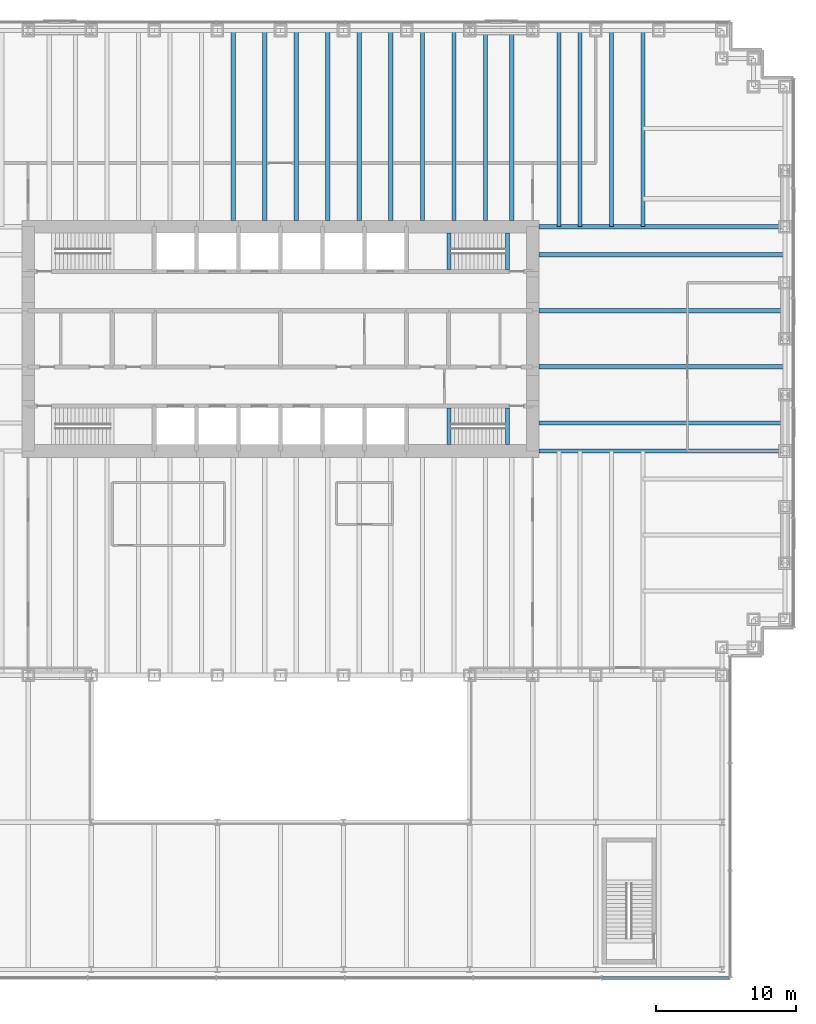
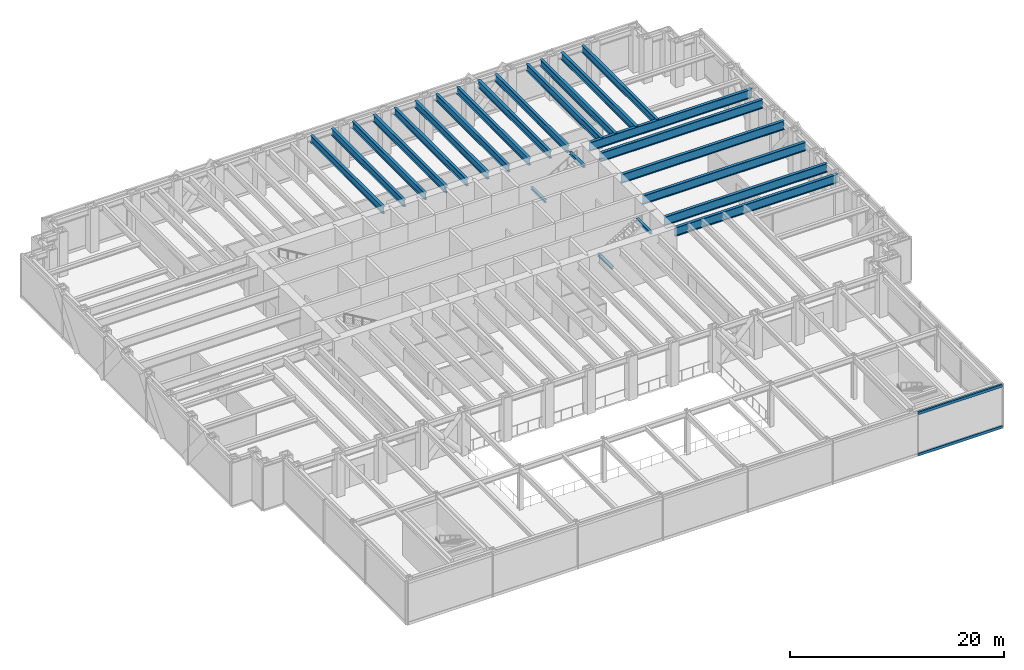
# One storey, part 6 of 17: 24 beams, 2 members, 1 element without a shape of its own.
"""IFC4 building model written with IfcOpenShell, lengths in metres."""

from ifc_helpers import new_model, si_unit, direction, frame, origin, origin_2d, place, context, subcontext, project, spatial, rectangle, i_section, extrude, material, material_profile, profile_set, type_object, element, aggregate, save


model = new_model("IFC4")

# Units and contexts
model_context = context("Model", 3, precision=1e-05, world=origin(), true_north=direction((0.0, 1.0)))
body_context = subcontext(model_context, "Body", "Model", "MODEL_VIEW")
ifc_project = project(units=[si_unit("LENGTHUNIT", "METRE"), si_unit("AREAUNIT", "SQUARE_METRE"), si_unit("VOLUMEUNIT", "CUBIC_METRE"), si_unit("PLANEANGLEUNIT", "RADIAN"), si_unit("MASSUNIT", "GRAM", prefix="KILO")], contexts=[model_context])

# Site, building, storey
site_placement = place(None, origin())
site = spatial("IfcSite", under=ifc_project, at=site_placement, CompositionType="ELEMENT")
building_placement = place(site_placement, origin())
building = spatial("IfcBuilding", under=site, at=building_placement, Name="Rheinbord Bourse Tower", CompositionType="ELEMENT")
storey_placement = place(building_placement, frame((0.0, 0.0, 13.0)))
storey = spatial("IfcBuildingStorey", under=building, at=storey_placement, Name="L02", CompositionType="ELEMENT", Elevation=13.0)

# Curtain wall, members
ifc_material_1 = material(Name="Dark glass and black aluminium", Category="aluminium")
curtain_wall_type = type_object("IfcCurtainWallType", Name="CW4 DARK GLASS CURTAIN WALL", PredefinedType="USERDEFINED", material=ifc_material_1)
curtain_wall_placement = place(storey_placement, origin())
curtain_wall = element("IfcCurtainWall", 1, at=curtain_wall_placement, inside=storey, type_object=curtain_wall_type, Name="Curtain wall CW4 S L02", ObjectType="UNITISED CURTAIN WALL", PredefinedType="USERDEFINED")
ifc_material_2 = material(Name="Black anodised aluminium", Category="aluminium")
ifc_material_profile_1 = material_profile(ifc_material_2, rectangle(XDim=0.199951171875, YDim=0.300048828125, at=origin_2d()), Name="CW4 TRANSOM 300x200")
ifc_profile_set_1 = profile_set([ifc_material_profile_1], Name="Black anodised aluminium")
member_type = type_object("IfcMemberType", Name="CW4 BLACK TRANSOM", PredefinedType="USERDEFINED", material=ifc_profile_set_1)
member_1_placement = place(storey_placement, frame((58.9736328125, -21.60009765625, 0.14990234375), z_axis=(1.0, 0.0, 0.0), x_axis=(0.0, 1.0, 0.0)))
member_1 = element("IfcMember", 2, at=member_1_placement, type_object=member_type, Name="CW4 transom 7.1", ObjectType="TRANSOM", PredefinedType="USERDEFINED", context=body_context, shape_type="SweptSolid", body=[
    extrude(rectangle(XDim=0.199951171875, YDim=0.300048828125, at=origin_2d()), origin(), (0.0, 0.0, 1.0), 9.036376953125),
])
member_2_placement = place(storey_placement, frame((58.9736328125, -21.60009765625, 4.85009765625), z_axis=(1.0, 0.0, 0.0), x_axis=(0.0, 1.0, 0.0)))
member_2 = element("IfcMember", 3, at=member_2_placement, type_object=member_type, Name="CW4 transom 7.2", ObjectType="TRANSOM", PredefinedType="USERDEFINED", context=body_context, shape_type="SweptSolid", body=[
    extrude(rectangle(XDim=0.199951171875, YDim=0.300048828125, at=origin_2d()), origin(), (0.0, 0.0, 1.0), 9.036376953125),
])
aggregate(curtain_wall, [member_1, member_2])

# Beams
ifc_material_3 = material(Name="Steel S460", Category="steel")
ifc_material_profile_2 = material_profile(ifc_material_3, i_section(OverallWidth=0.302001953125, OverallDepth=1.008056640625, WebThickness=0.02099609375, FlangeThickness=0.0400390625, at=origin_2d()), Name="HEM 1000")
ifc_profile_set_2 = profile_set([ifc_material_profile_2], Name="Steel S460")
beam_type_1 = type_object("IfcBeamType", Name="END BEAM HEM 1000", PredefinedType="BEAM", material=ifc_profile_set_2)
for number, where, z_axis, x_axis, name in (
    (4, (54.449951171875, 18.0, 4.31591796875), (1.0, 0.0, 0.0), (0.0, 1.0, 0.0), "End beam east 18 L03"),
    (5, (54.449951171875, 22.0, 4.31591796875), (1.0, 0.0, 0.0), (0.0, 1.0, 0.0), "End beam east 22 L03"),
    (6, (54.449951171875, 26.0, 4.31591796875), (1.0, 0.0, 0.0), (0.0, 1.0, 0.0), "End beam east 26 L03"),
    (7, (54.449951171875, 30.0, 4.31591796875), (1.0, 0.0, 0.0), (0.0, 1.0, 0.0), "End beam east 30 L03"),
):
    element("IfcBeam", number, at=place(storey_placement, frame(where, z_axis=z_axis, x_axis=x_axis)), inside=storey, type_object=beam_type_1, Name=name, PredefinedType="BEAM", context=body_context, shape_type="SweptSolid", body=[
        extrude(i_section(OverallWidth=0.302001953125, OverallDepth=1.008056640625, WebThickness=0.02099609375, FlangeThickness=0.0400390625, at=origin_2d()), origin(), (0.0, 0.0, 1.0), 17.550048828125),
    ])
ifc_material_4 = material(Name="Steel S460", Category="steel")
ifc_material_profile_3 = material_profile(ifc_material_4, i_section(OverallWidth=0.300048828125, OverallDepth=0.800048828125, WebThickness=0.017578125, FlangeThickness=0.032958984375, at=origin_2d()), Name="HEB 800")
ifc_profile_set_3 = profile_set([ifc_material_profile_3], Name="Steel S460")
beam_type_2 = type_object("IfcBeamType", Name="FLOOR BEAM HEB 800", PredefinedType="BEAM", material=ifc_profile_set_3)
for number, where, z_axis, x_axis, name in (
    (8, (32.625, 46.0, 4.419921875), (0.0, -1.0, 0.0), (1.0, 0.0, 0.0), "Floor beam N-31.5a L03"),
    (9, (34.875, 46.0, 4.419921875), (0.0, -1.0, 0.0), (1.0, 0.0, 0.0), "Floor beam N-31.5b L03"),
    (10, (37.125, 46.0, 4.419921875), (0.0, -1.0, 0.0), (1.0, 0.0, 0.0), "Floor beam N-36a L03"),
    (11, (39.375, 46.0, 4.419921875), (0.0, -1.0, 0.0), (1.0, 0.0, 0.0), "Floor beam N-36b L03"),
    (12, (41.625, 46.0, 4.419921875), (0.0, -1.0, 0.0), (1.0, 0.0, 0.0), "Floor beam N-40.5a L03"),
    (13, (43.875, 46.0, 4.419921875), (0.0, -1.0, 0.0), (1.0, 0.0, 0.0), "Floor beam N-40.5b L03"),
    (14, (46.125, 46.0, 4.419921875), (0.0, -1.0, 0.0), (1.0, 0.0, 0.0), "Floor beam N-45a L03"),
    (15, (48.375, 46.0, 4.419921875), (0.0, -1.0, 0.0), (1.0, 0.0, 0.0), "Floor beam N-45b L03"),
    (16, (50.625, 46.0, 4.419921875), (0.0, -1.0, 0.0), (1.0, 0.0, 0.0), "Floor beam N-49.5a L03"),
    (17, (52.5, 46.0, 4.419921875), (0.0, -1.0, 0.0), (1.0, 0.0, 0.0), "Floor beam N-49.5b L03"),
):
    element("IfcBeam", number, at=place(storey_placement, frame(where, z_axis=z_axis, x_axis=x_axis)), inside=storey, type_object=beam_type_2, Name=name, PredefinedType="BEAM", context=body_context, shape_type="SweptSolid", body=[
        extrude(i_section(OverallWidth=0.300048828125, OverallDepth=0.800048828125, WebThickness=0.017578125, FlangeThickness=0.032958984375, at=origin_2d()), origin(), (0.0, 0.0, 1.0), 13.550048828125),
    ])
for number, where, z_axis, x_axis, name in (
    (18, (55.875, 46.0, 4.419921875), (0.0, -1.0, 0.0), (1.0, 0.0, 0.0), "Floor beam N-54a L03"),
    (19, (57.375, 46.0, 4.419921875), (0.0, -1.0, 0.0), (1.0, 0.0, 0.0), "Floor beam N-54b L03"),
    (20, (59.625, 46.0, 4.419921875), (0.0, -1.0, 0.0), (1.0, 0.0, 0.0), "Floor beam N-58.5a L03"),
    (21, (61.875, 46.0, 4.419921875), (0.0, -1.0, 0.0), (1.0, 0.0, 0.0), "Floor beam N-58.5b L03"),
):
    element("IfcBeam", number, at=place(storey_placement, frame(where, z_axis=z_axis, x_axis=x_axis)), inside=storey, type_object=beam_type_2, Name=name, PredefinedType="BEAM", context=body_context, shape_type="SweptSolid", body=[
        extrude(i_section(OverallWidth=0.300048828125, OverallDepth=0.800048828125, WebThickness=0.017578125, FlangeThickness=0.032958984375, at=origin_2d()), origin(), (0.0, 0.0, 1.0), 14.0),
    ])
ifc_material_5 = material(Name="Steel S460", Category="steel")
ifc_material_profile_4 = material_profile(ifc_material_5, i_section(OverallWidth=0.302001953125, OverallDepth=1.008056640625, WebThickness=0.02099609375, FlangeThickness=0.0400390625, at=origin_2d()), Name="HEM 1000")
ifc_profile_set_4 = profile_set([ifc_material_profile_4], Name="Steel S460")
beam_type_3 = type_object("IfcBeamType", Name="GIRDER HEM 1000", PredefinedType="BEAM", material=ifc_profile_set_4)
for number, where, z_axis, x_axis, name in (
    (22, (54.449951171875, 16.0, 4.31591796875), (1.0, 0.0, 0.0), (0.0, 1.0, 0.0), "Girder east 16 L03"),
    (23, (54.449951171875, 32.0, 4.31591796875), (1.0, 0.0, 0.0), (0.0, 1.0, 0.0), "Girder east 32 L03"),
):
    element("IfcBeam", number, at=place(storey_placement, frame(where, z_axis=z_axis, x_axis=x_axis)), inside=storey, type_object=beam_type_3, Name=name, PredefinedType="BEAM", context=body_context, shape_type="SweptSolid", body=[
        extrude(i_section(OverallWidth=0.302001953125, OverallDepth=1.008056640625, WebThickness=0.02099609375, FlangeThickness=0.0400390625, at=origin_2d()), origin(), (0.0, 0.0, 1.0), 17.550048828125),
    ])
ifc_material_6 = material(Name="Steel S460", Category="steel")
ifc_material_profile_5 = material_profile(ifc_material_6, i_section(OverallWidth=0.300048828125, OverallDepth=0.300048828125, WebThickness=0.010986328125, FlangeThickness=0.01904296875, at=origin_2d()), Name="HEB 300")
ifc_profile_set_5 = profile_set([ifc_material_profile_5], Name="Steel S460")
beam_type_4 = type_object("IfcBeamType", Name="LANDING TRIMMER HEB 300", PredefinedType="BEAM", material=ifc_profile_set_5)
for number, where, z_axis, x_axis, name in (
    (24, (48.030029296875, 16.449951171875, 2.14990234375), (0.0, 1.0, 0.0), (-1.0, 0.0, 0.0), "Landing trimmer ST3 L02"),
    (25, (52.199951171875, 16.449951171875, 4.669921875), (0.0, 1.0, 0.0), (-1.0, 0.0, 0.0), "Well trimmer ST3 under L03"),
    (26, (48.030029296875, 28.949951171875, 2.14990234375), (0.0, 1.0, 0.0), (-1.0, 0.0, 0.0), "Landing trimmer ST4 L02"),
    (27, (52.199951171875, 28.949951171875, 4.669921875), (0.0, 1.0, 0.0), (-1.0, 0.0, 0.0), "Well trimmer ST4 under L03"),
):
    element("IfcBeam", number, at=place(storey_placement, frame(where, z_axis=z_axis, x_axis=x_axis)), inside=storey, type_object=beam_type_4, Name=name, PredefinedType="BEAM", context=body_context, shape_type="SweptSolid", body=[
        extrude(i_section(OverallWidth=0.300048828125, OverallDepth=0.300048828125, WebThickness=0.010986328125, FlangeThickness=0.01904296875, at=origin_2d()), origin(), (0.0, 0.0, 1.0), 2.60009765625),
    ])

save(model, "model.ifc")
